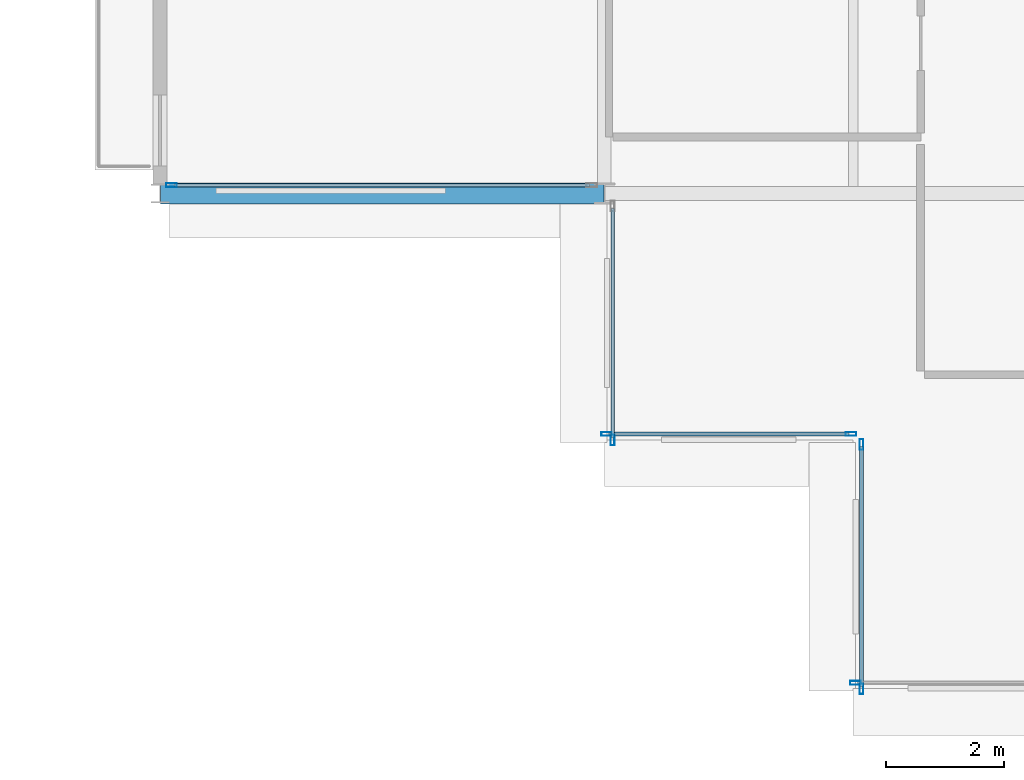
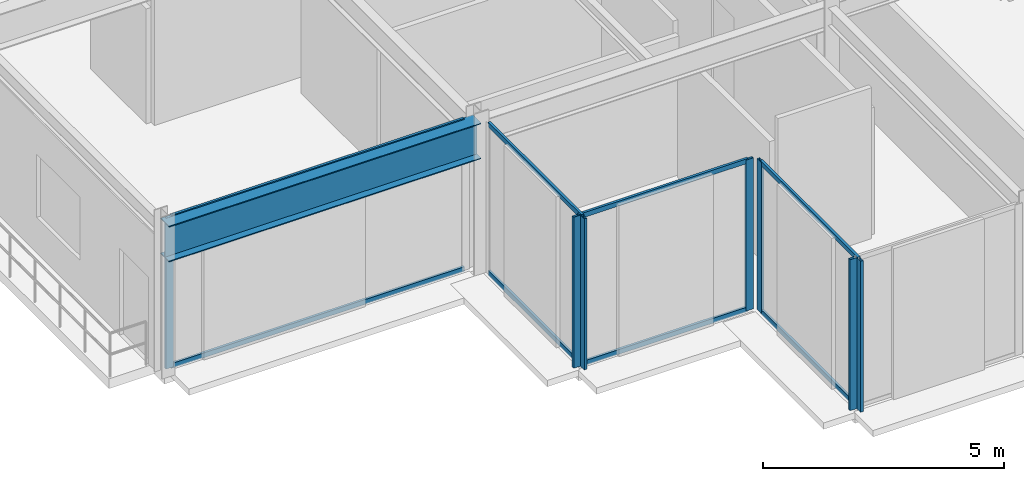
# One storey, part 3 of 29: 15 members, 1 beam, 5 elements without a shape of their own.
"""IFC4 building model written with IfcOpenShell, lengths in metres."""

from ifc_helpers import new_model, si_unit, direction, frame, origin, origin_2d, place, context, subcontext, project, spatial, hollow_rectangle, i_section, extrude, material, layer, layer_set, material_profile, profile_set, type_object, element, aggregate, save


model = new_model("IFC4")

# Units and contexts
model_context = context("Model", 3, precision=1e-05, world=origin(), true_north=direction((0.0, 1.0)))
body_context = subcontext(model_context, "Body", "Model", "MODEL_VIEW")
ifc_project = project(units=[si_unit("LENGTHUNIT", "METRE"), si_unit("AREAUNIT", "SQUARE_METRE"), si_unit("VOLUMEUNIT", "CUBIC_METRE"), si_unit("PLANEANGLEUNIT", "RADIAN"), si_unit("MASSUNIT", "GRAM", prefix="KILO")], contexts=[model_context])

# Site, building, storey
site_placement = place(None, origin())
site = spatial("IfcSite", under=ifc_project, at=site_placement, CompositionType="ELEMENT")
building_placement = place(site_placement, origin())
building = spatial("IfcBuilding", under=site, at=building_placement, Name="Nerrivon Quay Data Exchange", CompositionType="ELEMENT")
storey_placement = place(building_placement, frame((0.0, 0.0, 191.89990234375)))
storey = spatial("IfcBuildingStorey", under=building, at=storey_placement, Name="L45", CompositionType="ELEMENT", Elevation=191.89990234375)

# Beam
ifc_material_1 = material(Name="Steel Grade 350", Category="steel")
ifc_material_profile_1 = material_profile(ifc_material_1, i_section(OverallWidth=0.35009765625, OverallDepth=0.909912109375, WebThickness=0.011962890625, FlangeThickness=0.02490234375, at=origin_2d()), Name="900WB218")
ifc_profile_set_1 = profile_set([ifc_material_profile_1], Name="Steel Grade 350")
beam_type = type_object("IfcBeamType", Name="BM-CANT-900WB", PredefinedType="USERDEFINED", material=ifc_profile_set_1)
beam_placement = place(storey_placement, frame((-0.010009765625, 8.39990234375, 3.3701171875), z_axis=(-1.0, 0.0, 0.0), x_axis=(0.0, -1.0, 0.0)))
element("IfcBeam", 1, at=beam_placement, inside=storey, type_object=beam_type, Name="L45 West Hooked Cantilever Girder Y=8.4", ObjectType="TRANSFER", PredefinedType="USERDEFINED", context=body_context, shape_type="SweptSolid", body=[
    extrude(i_section(OverallWidth=0.35009765625, OverallDepth=0.909912109375, WebThickness=0.011962890625, FlangeThickness=0.02490234375, at=origin_2d()), origin(), (0.0, 0.0, 1.0), 7.482177734375),
])

# Curtain wall, member
ifc_material_2 = material(Name="Anodised aluminium 6063-T6", Category="aluminium")
ifc_layer_1 = layer(ifc_material_2, 0.195068359375)
ifc_layer_set_1 = layer_set([ifc_layer_1], Name="Anodised aluminium 6063-T6")
curtain_wall_type_1 = type_object("IfcCurtainWallType", Name="CW-SYS-06", PredefinedType="NOTDEFINED", material=ifc_layer_set_1)
curtain_wall_1_placement = place(storey_placement, origin())
curtain_wall_1 = element("IfcCurtainWall", 2, at=curtain_wall_1_placement, inside=storey, type_object=curtain_wall_type_1, Name="L45 Unitised Curtain Wall 28", PredefinedType="NOTDEFINED")
ifc_material_profile_2 = material_profile(ifc_material_2, hollow_rectangle(XDim=0.06494140625, YDim=0.179931640625, WallThickness=0.00341796875, at=origin_2d()), Name="ALU-MULL-180x65")
ifc_profile_set_2 = profile_set([ifc_material_profile_2], Name="Anodised aluminium 6063-T6")
member_type_1 = type_object("IfcMemberType", Name="CWM-180x65", PredefinedType="MULLION", material=ifc_profile_set_2)
member_1_placement = place(storey_placement, frame((4.237548828125, 0.139892578125, 0.0), z_axis=(0.0, 0.0, 1.0), x_axis=(0.0, -1.0, 0.0)))
member_1 = element("IfcMember", 3, at=member_1_placement, type_object=member_type_1, Name="CW06 mullion 2", PredefinedType="MULLION", context=body_context, shape_type="SweptSolid", body=[
    extrude(hollow_rectangle(XDim=0.06494140625, YDim=0.179931640625, WallThickness=0.00341796875, at=origin_2d()), origin(), (0.0, 0.0, 1.0), 3.8251953125),
])
aggregate(curtain_wall_1, [member_1])

# Curtain wall, members
curtain_wall_2_placement = place(storey_placement, origin())
curtain_wall_2 = element("IfcCurtainWall", 4, at=curtain_wall_2_placement, inside=storey, type_object=curtain_wall_type_1, Name="L45 Unitised Curtain Wall 29", PredefinedType="NOTDEFINED")
member_2_placement = place(storey_placement, frame((4.340087890625, 0.03759765625, 0.0), z_axis=(0.0, 0.0, 1.0), x_axis=(-1.0, 0.0, 0.0)))
member_2 = element("IfcMember", 5, at=member_2_placement, type_object=member_type_1, Name="CW06 mullion 1", PredefinedType="MULLION", context=body_context, shape_type="SweptSolid", body=[
    extrude(hollow_rectangle(XDim=0.06494140625, YDim=0.179931640625, WallThickness=0.00341796875, at=origin_2d()), origin(), (0.0, 0.0, 1.0), 3.8251953125),
])
member_3_placement = place(storey_placement, frame((4.340087890625, 4.16259765625, 0.0), z_axis=(0.0, 0.0, 1.0), x_axis=(-1.0, 0.0, 0.0)))
member_3 = element("IfcMember", 6, at=member_3_placement, type_object=member_type_1, Name="CW06 mullion 2", PredefinedType="MULLION", context=body_context, shape_type="SweptSolid", body=[
    extrude(hollow_rectangle(XDim=0.06494140625, YDim=0.179931640625, WallThickness=0.00341796875, at=origin_2d()), origin(), (0.0, 0.0, 1.0), 3.8251953125),
])

curtain_wall_3_placement = place(storey_placement, origin())
curtain_wall_3 = element("IfcCurtainWall", 7, at=curtain_wall_3_placement, inside=storey, type_object=curtain_wall_type_1, Name="L45 Unitised Curtain Wall 30", PredefinedType="NOTDEFINED")
member_4_placement = place(storey_placement, frame((4.16259765625, 4.340087890625, 0.0), z_axis=(0.0, 0.0, 1.0), x_axis=(0.0, -1.0, 0.0)))
member_4 = element("IfcMember", 8, at=member_4_placement, type_object=member_type_1, Name="CW06 mullion 1", PredefinedType="MULLION", context=body_context, shape_type="SweptSolid", body=[
    extrude(hollow_rectangle(XDim=0.06494140625, YDim=0.179931640625, WallThickness=0.00341796875, at=origin_2d()), origin(), (0.0, 0.0, 1.0), 3.8251953125),
])
member_5_placement = place(storey_placement, frame((0.03759765625, 4.340087890625, 0.0), z_axis=(0.0, 0.0, 1.0), x_axis=(0.0, -1.0, 0.0)))
member_5 = element("IfcMember", 9, at=member_5_placement, type_object=member_type_1, Name="CW06 mullion 2", PredefinedType="MULLION", context=body_context, shape_type="SweptSolid", body=[
    extrude(hollow_rectangle(XDim=0.06494140625, YDim=0.179931640625, WallThickness=0.00341796875, at=origin_2d()), origin(), (0.0, 0.0, 1.0), 3.8251953125),
])

# Curtain wall, member
curtain_wall_4_placement = place(storey_placement, origin())
curtain_wall_4 = element("IfcCurtainWall", 10, at=curtain_wall_4_placement, inside=storey, type_object=curtain_wall_type_1, Name="L45 Unitised Curtain Wall 31", PredefinedType="NOTDEFINED")
member_6_placement = place(storey_placement, frame((0.139892578125, 4.237548828125, 0.0), z_axis=(0.0, 0.0, 1.0), x_axis=(-1.0, 0.0, 0.0)))
member_6 = element("IfcMember", 11, at=member_6_placement, type_object=member_type_1, Name="CW06 mullion 1", PredefinedType="MULLION", context=body_context, shape_type="SweptSolid", body=[
    extrude(hollow_rectangle(XDim=0.06494140625, YDim=0.179931640625, WallThickness=0.00341796875, at=origin_2d()), origin(), (0.0, 0.0, 1.0), 3.8251953125),
])

ifc_layer_2 = layer(ifc_material_2, 0.199951171875)
ifc_layer_set_2 = layer_set([ifc_layer_2], Name="Anodised aluminium 6063-T6")
curtain_wall_type_2 = type_object("IfcCurtainWallType", Name="CW-SYS-04", PredefinedType="NOTDEFINED", material=ifc_layer_set_2)
curtain_wall_5_placement = place(storey_placement, origin())
curtain_wall_5 = element("IfcCurtainWall", 12, at=curtain_wall_5_placement, inside=storey, type_object=curtain_wall_type_2, Name="L45 Unitised Curtain Wall 32", PredefinedType="NOTDEFINED")
member_7_placement = place(storey_placement, frame((-7.306884765625, 8.5400390625, 0.0), z_axis=(0.0, 0.0, 1.0), x_axis=(0.0, -1.0, 0.0)))
member_7 = element("IfcMember", 13, at=member_7_placement, type_object=member_type_1, Name="CW04 mullion 2", PredefinedType="MULLION", context=body_context, shape_type="SweptSolid", body=[
    extrude(hollow_rectangle(XDim=0.06494140625, YDim=0.179931640625, WallThickness=0.00341796875, at=origin_2d()), origin(), (0.0, 0.0, 1.0), 3.8251953125),
])

# Member
ifc_material_profile_3 = material_profile(ifc_material_2, hollow_rectangle(XDim=0.06005859375, YDim=0.1201171875, WallThickness=0.003173828125, at=origin_2d()), Name="ALU-TRAN-120x60")
ifc_profile_set_3 = profile_set([ifc_material_profile_3], Name="Anodised aluminium 6063-T6")
member_type_2 = type_object("IfcMemberType", Name="CWT-120x60", PredefinedType="USERDEFINED", material=ifc_profile_set_3)
member_8_placement = place(storey_placement, frame((4.340087890625, 0.074951171875, 0.03271484375), z_axis=(0.0, 1.0, 0.0), x_axis=(-1.0, 0.0, 0.0)))
member_8 = element("IfcMember", 14, at=member_8_placement, type_object=member_type_2, Name="CW06 transom 1.1", ObjectType="TRANSOM", PredefinedType="USERDEFINED", context=body_context, shape_type="SweptSolid", body=[
    extrude(hollow_rectangle(XDim=0.06005859375, YDim=0.1201171875, WallThickness=0.003173828125, at=origin_2d()), origin(), (0.0, 0.0, 1.0), 4.050048828125),
])

member_9_placement = place(storey_placement, frame((4.340087890625, 0.074951171875, 3.79248046875), z_axis=(0.0, 1.0, 0.0), x_axis=(-1.0, 0.0, 0.0)))
member_9 = element("IfcMember", 15, at=member_9_placement, type_object=member_type_2, Name="CW06 transom 1.2", ObjectType="TRANSOM", PredefinedType="USERDEFINED", context=body_context, shape_type="SweptSolid", body=[
    extrude(hollow_rectangle(XDim=0.06005859375, YDim=0.1201171875, WallThickness=0.003173828125, at=origin_2d()), origin(), (0.0, 0.0, 1.0), 4.050048828125),
])

aggregate(curtain_wall_2, [member_2, member_3, member_8, member_9])

member_10_placement = place(storey_placement, frame((4.125, 4.340087890625, 0.03271484375), z_axis=(-1.0, 0.0, 0.0), x_axis=(0.0, -1.0, 0.0)))
member_10 = element("IfcMember", 16, at=member_10_placement, type_object=member_type_2, Name="CW06 transom 1.1", ObjectType="TRANSOM", PredefinedType="USERDEFINED", context=body_context, shape_type="SweptSolid", body=[
    extrude(hollow_rectangle(XDim=0.06005859375, YDim=0.1201171875, WallThickness=0.003173828125, at=origin_2d()), origin(), (0.0, 0.0, 1.0), 4.050048828125),
])

member_11_placement = place(storey_placement, frame((4.125, 4.340087890625, 3.79248046875), z_axis=(-1.0, 0.0, 0.0), x_axis=(0.0, -1.0, 0.0)))
member_11 = element("IfcMember", 17, at=member_11_placement, type_object=member_type_2, Name="CW06 transom 1.2", ObjectType="TRANSOM", PredefinedType="USERDEFINED", context=body_context, shape_type="SweptSolid", body=[
    extrude(hollow_rectangle(XDim=0.06005859375, YDim=0.1201171875, WallThickness=0.003173828125, at=origin_2d()), origin(), (0.0, 0.0, 1.0), 4.050048828125),
])

aggregate(curtain_wall_3, [member_4, member_5, member_10, member_11])

member_12_placement = place(storey_placement, frame((0.139892578125, 4.27490234375, 0.03271484375), z_axis=(0.0, 1.0, 0.0), x_axis=(-1.0, 0.0, 0.0)))
member_12 = element("IfcMember", 18, at=member_12_placement, type_object=member_type_2, Name="CW06 transom 1.1", ObjectType="TRANSOM", PredefinedType="USERDEFINED", context=body_context, shape_type="SweptSolid", body=[
    extrude(hollow_rectangle(XDim=0.06005859375, YDim=0.1201171875, WallThickness=0.003173828125, at=origin_2d()), origin(), (0.0, 0.0, 1.0), 3.875),
])

member_13_placement = place(storey_placement, frame((0.139892578125, 4.27490234375, 3.79248046875), z_axis=(0.0, 1.0, 0.0), x_axis=(-1.0, 0.0, 0.0)))
member_13 = element("IfcMember", 19, at=member_13_placement, type_object=member_type_2, Name="CW06 transom 1.2", ObjectType="TRANSOM", PredefinedType="USERDEFINED", context=body_context, shape_type="SweptSolid", body=[
    extrude(hollow_rectangle(XDim=0.06005859375, YDim=0.1201171875, WallThickness=0.003173828125, at=origin_2d()), origin(), (0.0, 0.0, 1.0), 3.875),
])

aggregate(curtain_wall_4, [member_6, member_12, member_13])

member_14_placement = place(storey_placement, frame((-0.25, 8.5400390625, 0.03271484375), z_axis=(-1.0, 0.0, 0.0), x_axis=(0.0, -1.0, 0.0)))
member_14 = element("IfcMember", 20, at=member_14_placement, type_object=member_type_2, Name="CW04 transom 1.1", ObjectType="TRANSOM", PredefinedType="USERDEFINED", context=body_context, shape_type="SweptSolid", body=[
    extrude(hollow_rectangle(XDim=0.06005859375, YDim=0.1201171875, WallThickness=0.003173828125, at=origin_2d()), origin(), (0.0, 0.0, 1.0), 7.01953125),
])

member_15_placement = place(storey_placement, frame((-0.25, 8.5400390625, 3.79248046875), z_axis=(-1.0, 0.0, 0.0), x_axis=(0.0, -1.0, 0.0)))
member_15 = element("IfcMember", 21, at=member_15_placement, type_object=member_type_2, Name="CW04 transom 1.2", ObjectType="TRANSOM", PredefinedType="USERDEFINED", context=body_context, shape_type="SweptSolid", body=[
    extrude(hollow_rectangle(XDim=0.06005859375, YDim=0.1201171875, WallThickness=0.003173828125, at=origin_2d()), origin(), (0.0, 0.0, 1.0), 7.01953125),
])

aggregate(curtain_wall_5, [member_7, member_14, member_15])

save(model, "model.ifc")
